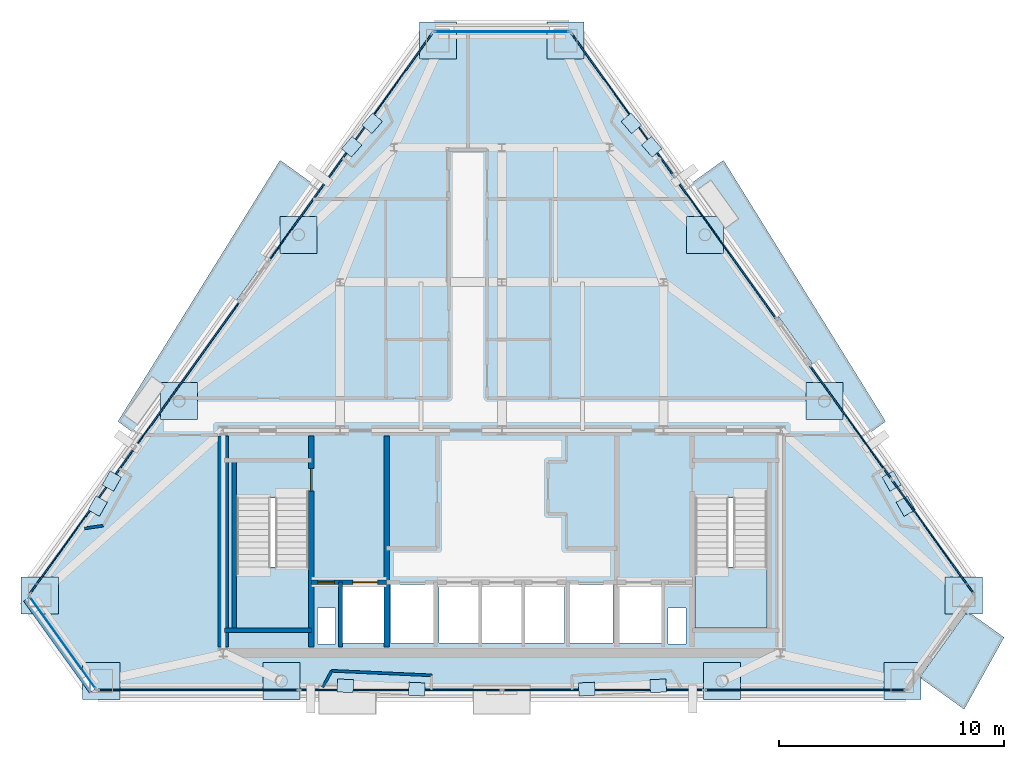
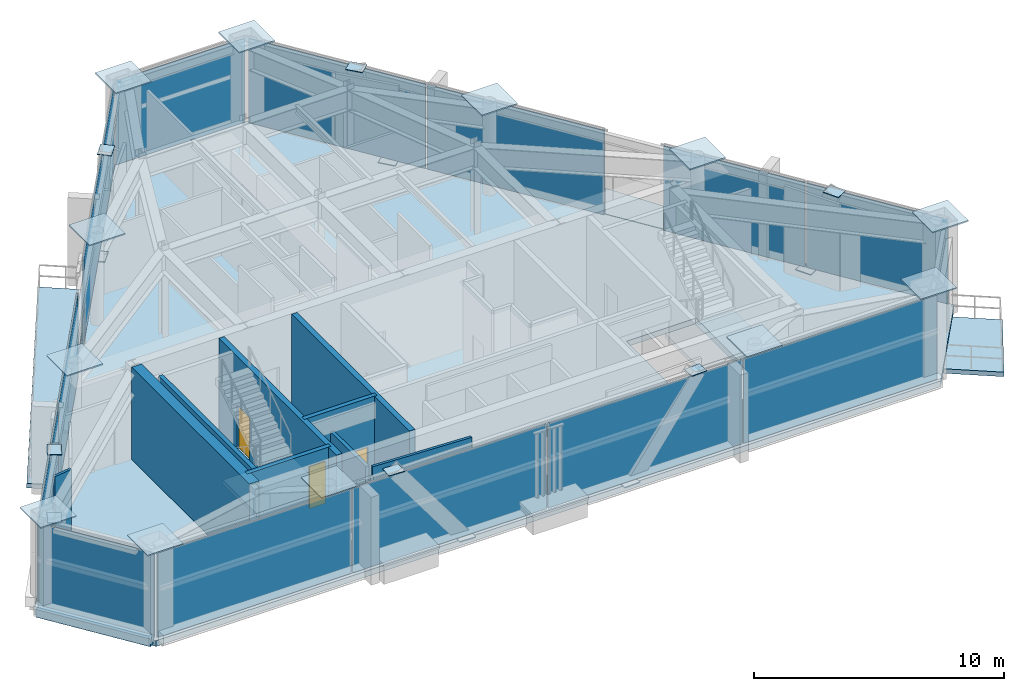
# One storey, part 6 of 11: 37 plates, 11 walls, 6 slabs, 3 doors, 3 openings, 9 elements without a shape of their own.
"""IFC4 building model written with IfcOpenShell, lengths in metres."""

from ifc_helpers import new_model, si_unit, direction, frame, frame_2d, origin, origin_2d, place, context, subcontext, project, spatial, polyline, rectangle, outline, extrude, source, transform, mapped, material, layer, layer_set, type_object, type_shapes, element, fill, aggregate, save


model = new_model("IFC4")

# Units and contexts
model_context = context("Model", 3, precision=1e-05, world=origin(), true_north=direction((0.0, 1.0)))
body_context = subcontext(model_context, "Body", "Model", "MODEL_VIEW")
ifc_project = project(units=[si_unit("LENGTHUNIT", "METRE"), si_unit("AREAUNIT", "SQUARE_METRE"), si_unit("VOLUMEUNIT", "CUBIC_METRE"), si_unit("PLANEANGLEUNIT", "RADIAN"), si_unit("MASSUNIT", "GRAM", prefix="KILO")], contexts=[model_context])

# Site, building, storey
site_placement = place(None, origin())
site = spatial("IfcSite", under=ifc_project, at=site_placement, CompositionType="ELEMENT")
building_placement = place(site_placement, origin())
building = spatial("IfcBuilding", under=site, at=building_placement, Name="Talgorran Terracotta Tower", CompositionType="ELEMENT")
storey_placement = place(building_placement, frame((0.0, 0.0, 228.89990234375)))
storey = spatial("IfcBuildingStorey", under=building, at=storey_placement, Name="L60", CompositionType="ELEMENT", Elevation=228.89990234375)

# Plates
ifc_material_1 = material(Name="Steel Grade 350 (350L0)", Category="steel")
ifc_layer_1 = layer(ifc_material_1, 0.031982421875, Name="PL_CAP_MN07")
ifc_layer_set_1 = layer_set([ifc_layer_1], Name="Steel Grade 350 (350L0)")
plate_type_1 = type_object("IfcPlateType", Name="PL_CAP_MN07", PredefinedType="USERDEFINED", material=ifc_layer_set_1)
for number, where, z_axis, x_axis, name in (
    (1, (-3.783203125, -15.712158203125, -0.005859375), (0.0, 0.0, 1.0), (-0.998970569791, 0.045362988129, 0.0), "L60 Diagonal Frame End Cap SWF Bot"),
    (2, (-6.96240234375, -15.56787109375, 4.21923828125), (0.0, 0.0, 1.0), (-0.998970569791, 0.045362988129, 0.0), "L60 Diagonal Frame End Cap SWF Top"),
    (3, (3.783203125, -15.712158203125, -0.005859375), (0.0, 0.0, 1.0), (0.998970569791, 0.045362988129, 0.0), "L60 Diagonal Frame End Cap SEF Bot"),
    (4, (6.96240234375, -15.56787109375, 4.21923828125), (0.0, 0.0, 1.0), (0.998970569791, 0.045362988129, 0.0), "L60 Diagonal Frame End Cap SEF Top"),
    (5, (17.359619140625, -6.453857421875, -0.005859375), (0.0, 0.0, 1.0), (0.490295412055, -0.871556314255, 0.0), "L60 Diagonal Frame End Cap NEL Bot"),
    (6, (17.98583984375, -7.567138671875, 4.21923828125), (0.0, 0.0, 1.0), (0.490295412055, -0.871556314255, 0.0), "L60 Diagonal Frame End Cap NEL Top"),
    (7, (6.67822265625, 8.42724609375, -0.005859375), (0.0, 0.0, 1.0), (-0.656059028991, 0.754709580223, 0.0), "L60 Diagonal Frame End Cap NEU Bot"),
    (8, (5.768310546875, 9.473876953125, 4.21923828125), (0.0, 0.0, 1.0), (-0.656059028991, 0.754709580223, 0.0), "L60 Diagonal Frame End Cap NEU Top"),
    (9, (-6.67822265625, 8.42724609375, -0.005859375), (0.0, 0.0, 1.0), (0.656059028991, 0.754709580223, 0.0), "L60 Diagonal Frame End Cap NWU Bot"),
    (10, (-5.768310546875, 9.473876953125, 4.21923828125), (0.0, 0.0, 1.0), (0.656059028991, 0.754709580223, 0.0), "L60 Diagonal Frame End Cap NWU Top"),
    (11, (-17.359619140625, -6.453857421875, -0.005859375), (0.0, 0.0, 1.0), (-0.490295412055, -0.871556314255, 0.0), "L60 Diagonal Frame End Cap NWL Bot"),
    (12, (-17.98583984375, -7.567138671875, 4.21923828125), (0.0, 0.0, 1.0), (-0.490295412055, -0.871556314255, 0.0), "L60 Diagonal Frame End Cap NWL Top"),
):
    element("IfcPlate", number, at=place(storey_placement, frame(where, z_axis=z_axis, x_axis=x_axis)), inside=storey, type_object=plate_type_1, Name=name, ObjectType="CAP PLATE", PredefinedType="USERDEFINED", context=body_context, shape_type="SweptSolid", body=[
        extrude(rectangle(XDim=0.719970703125, YDim=0.580078125, at=origin_2d()), origin(), (0.0, 0.0, 1.0), 0.031982421875),
    ])
ifc_layer_2 = layer(ifc_material_1, 0.06005859375, Name="PL_NODE_MN01")
ifc_layer_set_2 = layer_set([ifc_layer_2], Name="Steel Grade 350 (350L0)")
plate_type_2 = type_object("IfcPlateType", Name="PL_NODE_MN01", PredefinedType="USERDEFINED", material=ifc_layer_set_2)
for number, where, z_axis, x_axis, name in (
    (13, (-20.566650390625, -11.53955078125, 4.485107421875), (0.0, 0.0, 1.0), (1.0, 0.0, 0.0), "L60 Mega-Column Cap Plate MC1"),
    (14, (-17.830078125, -15.352294921875, 4.485107421875), (0.0, 0.0, 1.0), (1.0, 0.0, 0.0), "L60 Mega-Column Cap Plate MC2"),
    (15, (17.830078125, -15.352294921875, 4.485107421875), (0.0, 0.0, 1.0), (1.0, 0.0, 0.0), "L60 Mega-Column Cap Plate MC3"),
    (16, (20.566650390625, -11.53955078125, 4.485107421875), (0.0, 0.0, 1.0), (1.0, 0.0, 0.0), "L60 Mega-Column Cap Plate MC4"),
    (17, (2.843017578125, 13.153076171875, 4.485107421875), (0.0, 0.0, 1.0), (1.0, 0.0, 0.0), "L60 Mega-Column Cap Plate MC5"),
    (18, (-2.843017578125, 13.153076171875, 4.485107421875), (0.0, 0.0, 1.0), (1.0, 0.0, 0.0), "L60 Mega-Column Cap Plate MC6"),
    (19, (-9.806640625, -15.352294921875, 4.485107421875), (0.0, 0.0, 1.0), (1.0, 0.0, 0.0), "L60 Facet Column Cap Plate FC1"),
    (20, (9.806640625, -15.352294921875, 4.485107421875), (0.0, 0.0, 1.0), (1.0, 0.0, 0.0), "L60 Facet Column Cap Plate FC2"),
    (21, (14.36328125, -2.897216796875, 4.485107421875), (0.0, 0.0, 1.0), (1.0, 0.0, 0.0), "L60 Facet Column Cap Plate FC3"),
    (22, (9.04638671875, 4.510498046875, 4.485107421875), (0.0, 0.0, 1.0), (1.0, 0.0, 0.0), "L60 Facet Column Cap Plate FC4"),
    (23, (-9.04638671875, 4.510498046875, 4.485107421875), (0.0, 0.0, 1.0), (1.0, 0.0, 0.0), "L60 Facet Column Cap Plate FC5"),
    (24, (-14.36328125, -2.897216796875, 4.485107421875), (0.0, 0.0, 1.0), (1.0, 0.0, 0.0), "L60 Facet Column Cap Plate FC6"),
):
    element("IfcPlate", number, at=place(storey_placement, frame(where, z_axis=z_axis, x_axis=x_axis)), inside=storey, type_object=plate_type_2, Name=name, ObjectType="NODE PLATE", PredefinedType="USERDEFINED", context=body_context, shape_type="SweptSolid", body=[
        extrude(rectangle(XDim=1.64990234375, YDim=1.64990234375, at=origin_2d()), origin(), (0.0, 0.0, 1.0), 0.06005859375),
    ])

# Slabs
ifc_material_2 = material(Name="Concrete C40/50", Category="concrete")
ifc_layer_3 = layer(ifc_material_2, 0.219970703125, Name="SL_BALCONY_220")
ifc_layer_set_3 = layer_set([ifc_layer_3], Name="Concrete C40/50")
slab_type_1 = type_object("IfcSlabType", Name="SL_BALCONY_220", PredefinedType="FLOOR", material=ifc_layer_set_3)
slab_1_placement = place(storey_placement, frame((0.0, 0.0, -0.219970703125)))
element("IfcSlab", 25, at=slab_1_placement, inside=storey, type_object=slab_type_1, Name="L60 Outdoor Wave Balcony BAL-NE", PredefinedType="FLOOR", context=body_context, shape_type="SweptSolid", body=[
    extrude(outline(polyline([(8.189208984375, 6.622314453125), (16.15185546875, -4.47119140625), (17.087890625, -3.79931640625), (9.868896484375, 7.827880859375), (8.189208984375, 6.622314453125)])), origin(), (0.0, 0.0, 1.0), 0.219970703125),
])
slab_2_placement = place(storey_placement, frame((0.0, 0.0, -0.219970703125)))
element("IfcSlab", 26, at=slab_2_placement, inside=storey, type_object=slab_type_1, Name="L60 Outdoor Wave Balcony BAL-NW", PredefinedType="FLOOR", context=body_context, shape_type="SweptSolid", body=[
    extrude(outline(polyline([(-16.15185546875, -4.47119140625), (-8.189208984375, 6.622314453125), (-9.868896484375, 7.827880859375), (-17.087890625, -3.79931640625), (-16.15185546875, -4.47119140625)])), origin(), (0.0, 0.0, 1.0), 0.219970703125),
])
slab_3_placement = place(storey_placement, frame((0.0, 0.0, -0.219970703125)))
element("IfcSlab", 27, at=slab_3_placement, inside=storey, type_object=slab_type_1, Name="L60 Outdoor Wave Balcony BAL-SE", PredefinedType="FLOOR", context=body_context, shape_type="SweptSolid", body=[
    extrude(outline(polyline([(20.723388671875, -12.239013671875), (18.60498046875, -15.1904296875), (20.58251953125, -16.610107421875), (22.35791015625, -13.412109375), (20.723388671875, -12.239013671875)])), origin(), (0.0, 0.0, 1.0), 0.219970703125),
])
ifc_layer_4 = layer(ifc_material_2, 0.280029296875, Name="SL_HALL_280")
ifc_layer_set_4 = layer_set([ifc_layer_4], Name="Concrete C40/50")
slab_type_2 = type_object("IfcSlabType", Name="SL_HALL_280", PredefinedType="FLOOR", material=ifc_layer_set_4)
slab_4_placement = place(storey_placement, frame((0.0, 0.0, -0.27978515625)))
element("IfcSlab", 28, at=slab_4_placement, inside=storey, type_object=slab_type_2, Name="Storey L60 Structural Floor Slab", PredefinedType="FLOOR", context=body_context, shape_type="SweptSolid", body=[
    extrude(outline(polyline([(-21.206787109375, -11.53955078125), (-18.096923828125, -15.872314453125), (18.096923828125, -15.872314453125), (21.206787109375, -11.53955078125), (3.10986328125, 13.673095703125), (-3.10986328125, 13.673095703125), (-21.206787109375, -11.53955078125)]), holes=[polyline([(-11.800048828125, -7.199951171875), (-11.800048828125, -13.0), (-8.60009765625, -13.0), (-8.60009765625, -7.199951171875), (-11.800048828125, -7.199951171875)]), polyline([(8.60009765625, -7.199951171875), (8.60009765625, -13.0), (11.800048828125, -13.0), (11.800048828125, -7.199951171875), (8.60009765625, -7.199951171875)]), polyline([(-7.10009765625, -13.64990234375), (-5.199951171875, -13.64990234375), (-5.199951171875, -11.050048828125), (-7.10009765625, -11.050048828125), (-7.10009765625, -13.64990234375)]), polyline([(5.199951171875, -13.64990234375), (7.10009765625, -13.64990234375), (7.10009765625, -11.050048828125), (5.199951171875, -11.050048828125), (5.199951171875, -13.64990234375)]), polyline([(3.0, -13.64990234375), (4.949951171875, -13.64990234375), (4.949951171875, -11.050048828125), (3.0, -11.050048828125), (3.0, -13.64990234375)]), polyline([(-4.949951171875, -13.64990234375), (-3.0, -13.64990234375), (-3.0, -11.050048828125), (-4.949951171875, -11.050048828125), (-4.949951171875, -13.64990234375)]), polyline([(-2.800048828125, -13.64990234375), (-1.0, -13.64990234375), (-1.0, -11.050048828125), (-2.800048828125, -11.050048828125), (-2.800048828125, -13.64990234375)]), polyline([(-0.89990234375, -13.64990234375), (0.89990234375, -13.64990234375), (0.89990234375, -11.050048828125), (-0.89990234375, -11.050048828125), (-0.89990234375, -13.64990234375)]), polyline([(1.0, -13.64990234375), (2.800048828125, -13.64990234375), (2.800048828125, -11.050048828125), (1.0, -11.050048828125), (1.0, -13.64990234375)]), polyline([(-8.199951171875, -13.699951171875), (-7.39990234375, -13.699951171875), (-7.39990234375, -12.10009765625), (-8.199951171875, -12.10009765625), (-8.199951171875, -13.699951171875)]), polyline([(7.39990234375, -13.699951171875), (8.199951171875, -13.699951171875), (8.199951171875, -12.10009765625), (7.39990234375, -12.10009765625), (7.39990234375, -13.699951171875)])]), origin(), (0.0, 0.0, 1.0), 0.27978515625),
])

# Stair, slab
stair_type = type_object("IfcStairType", Name="ST_FIRE_SCISSOR", PredefinedType="HALF_TURN_STAIR", material=ifc_material_2)
stair_1_placement = place(storey_placement, origin())
stair_1 = element("IfcStair", 29, at=stair_1_placement, inside=storey, type_object=stair_type, Name="L60 West Protected Fire Stair ST-01", PredefinedType="HALF_TURN_STAIR")
ifc_layer_5 = layer(ifc_material_2, 0.199951171875, Name="SL_LANDING_200")
ifc_layer_set_5 = layer_set([ifc_layer_5], Name="Concrete C40/50")
slab_type_3 = type_object("IfcSlabType", Name="SL_LANDING_200", PredefinedType="LANDING", material=ifc_layer_set_5)
slab_5_placement = place(storey_placement, frame((0.0, 0.0, 2.050048828125)))
slab_5 = element("IfcSlab", 30, at=slab_5_placement, type_object=slab_type_3, Name="ST-01 landing 1", PredefinedType="LANDING", context=body_context, shape_type="SweptSolid", body=[
    extrude(outline(polyline([(-11.800048828125, -10.280029296875), (-11.800048828125, -13.0), (-8.60009765625, -13.0), (-8.60009765625, -10.280029296875), (-11.800048828125, -10.280029296875)])), origin(), (0.0, 0.0, 1.0), 0.199951171875),
])
aggregate(stair_1, [slab_5])

stair_2_placement = place(storey_placement, origin())
stair_2 = element("IfcStair", 31, at=stair_2_placement, inside=storey, type_object=stair_type, Name="L60 East Protected Fire Stair ST-02", PredefinedType="HALF_TURN_STAIR")
slab_6_placement = place(storey_placement, frame((0.0, 0.0, 2.050048828125)))
slab_6 = element("IfcSlab", 32, at=slab_6_placement, type_object=slab_type_3, Name="ST-02 landing 1", PredefinedType="LANDING", context=body_context, shape_type="SweptSolid", body=[
    extrude(outline(polyline([(8.60009765625, -10.280029296875), (8.60009765625, -13.0), (11.800048828125, -13.0), (11.800048828125, -10.280029296875), (8.60009765625, -10.280029296875)])), origin(), (0.0, 0.0, 1.0), 0.199951171875),
])
aggregate(stair_2, [slab_6])

# Curtain wall, plate
ifc_material_3 = material(Name="High-Wind Unitised Glazing", Category="glass")
ifc_layer_6 = layer(ifc_material_3, 0.2099609375, Name="CW_SYS3_RES_HIGH")
ifc_layer_set_6 = layer_set([ifc_layer_6], Name="High-Wind Unitised Glazing")
curtain_wall_type = type_object("IfcCurtainWallType", Name="CW_SYS3_RES_HIGH", PredefinedType="NOTDEFINED", material=ifc_layer_set_6)
curtain_wall_1_placement = place(storey_placement, origin())
curtain_wall_1 = element("IfcCurtainWall", 33, at=curtain_wall_1_placement, inside=storey, type_object=curtain_wall_type, Name="CW-L60-F0", PredefinedType="NOTDEFINED")
ifc_material_4 = material(Name="High-Wind Acoustic Vision Glass", Category="glass")
ifc_layer_7 = layer(ifc_material_4, 0.031982421875, Name="PLT_VISION_32")
ifc_layer_set_7 = layer_set([ifc_layer_7], Name="High-Wind Acoustic Vision Glass")
plate_type_3 = type_object("IfcPlateType", Name="PLT_VISION_32", PredefinedType="CURTAIN_PANEL", material=ifc_layer_set_7)
shared_shape_1 = source(origin(), body_context, "Body", "SweptSolid", [
    extrude(rectangle(XDim=5.04541015625, YDim=0.031982421875, at=origin_2d()), origin(), (0.0, 0.0, 1.0), 4.10498046875),
])
plate_1_placement = place(storey_placement, frame((-19.54736328125, -13.64599609375, 0.070068359375), z_axis=(0.0, 0.0, 1.0), x_axis=(0.583113785654, -0.812390492916, 0.0)))
plate_1 = element("IfcPlate", 34, at=plate_1_placement, type_object=plate_type_3, Name="CW-L60-0 panel 1.1", PredefinedType="CURTAIN_PANEL", context=body_context, shape_type="MappedRepresentation", body=[
    mapped(shared_shape_1, transform((0.0, 0.0, 0.0), scale=1.0)),
])
aggregate(curtain_wall_1, [plate_1])

# Curtain wall, plates
curtain_wall_2_placement = place(storey_placement, origin())
curtain_wall_2 = element("IfcCurtainWall", 35, at=curtain_wall_2_placement, inside=storey, type_object=curtain_wall_type, Name="CW-L60-F1", PredefinedType="NOTDEFINED")
ifc_material_5 = material(Name="Terracotta Insulated Spandrel", Category="masonry")
ifc_layer_8 = layer(ifc_material_5, 0.06494140625, Name="PLT_SPANDREL_TERRA")
ifc_layer_set_8 = layer_set([ifc_layer_8], Name="Terracotta Insulated Spandrel")
plate_type_4 = type_object("IfcPlateType", Name="PLT_SPANDREL_TERRA", PredefinedType="SHEET", material=ifc_layer_set_8)
shared_shape_2 = source(origin(), body_context, "Body", "SweptSolid", [
    extrude(rectangle(XDim=8.91259765625, YDim=0.06494140625, at=origin_2d()), origin(), (0.0, 0.0, 1.0), 4.10498046875),
])
plate_2_placement = place(storey_placement, frame((-13.509033203125, -15.752197265625, 0.070068359375), z_axis=(0.0, 0.0, 1.0), x_axis=(1.0, 0.0, 0.0)))
plate_2 = element("IfcPlate", 36, at=plate_2_placement, type_object=plate_type_4, Name="CW-L60-1 panel 1.1", PredefinedType="CURTAIN_PANEL", context=body_context, shape_type="MappedRepresentation", body=[
    mapped(shared_shape_2, transform((0.0, 0.0, 0.0), scale=1.0)),
])
plate_3_placement = place(storey_placement, frame((13.509033203125, -15.752197265625, 0.070068359375), z_axis=(0.0, 0.0, 1.0), x_axis=(1.0, 0.0, 0.0)))
plate_3 = element("IfcPlate", 37, at=plate_3_placement, type_object=plate_type_4, Name="CW-L60-1 panel 4.1", PredefinedType="CURTAIN_PANEL", context=body_context, shape_type="MappedRepresentation", body=[
    mapped(shared_shape_2, transform((0.0, 0.0, 0.0), scale=1.0)),
])
shared_shape_3 = source(origin(), body_context, "Body", "SweptSolid", [
    extrude(rectangle(XDim=8.94775390625, YDim=0.06494140625, at=origin_2d()), origin(), (0.0, 0.0, 1.0), 4.10498046875),
])
plate_4_placement = place(storey_placement, frame((-4.5087890625, -15.752197265625, 0.070068359375), z_axis=(0.0, 0.0, 1.0), x_axis=(1.0, 0.0, 0.0)))
plate_4 = element("IfcPlate", 38, at=plate_4_placement, type_object=plate_type_4, Name="CW-L60-1 panel 2.1", PredefinedType="CURTAIN_PANEL", context=body_context, shape_type="MappedRepresentation", body=[
    mapped(shared_shape_3, transform((0.0, 0.0, 0.0), scale=1.0)),
])
plate_5_placement = place(storey_placement, frame((4.5087890625, -15.752197265625, 0.070068359375), z_axis=(0.0, 0.0, 1.0), x_axis=(1.0, 0.0, 0.0)))
plate_5 = element("IfcPlate", 39, at=plate_5_placement, type_object=plate_type_4, Name="CW-L60-1 panel 3.1", PredefinedType="CURTAIN_PANEL", context=body_context, shape_type="MappedRepresentation", body=[
    mapped(shared_shape_3, transform((0.0, 0.0, 0.0), scale=1.0)),
])
aggregate(curtain_wall_2, [plate_2, plate_4, plate_5, plate_3])

curtain_wall_3_placement = place(storey_placement, origin())
curtain_wall_3 = element("IfcCurtainWall", 40, at=curtain_wall_3_placement, inside=storey, type_object=curtain_wall_type, Name="CW-L60-F40", PredefinedType="NOTDEFINED")
shared_shape_4 = source(origin(), body_context, "Body", "SweptSolid", [
    extrude(rectangle(XDim=6.20166015625, YDim=0.06494140625, at=origin_2d()), origin(), (0.0, 0.0, 1.0), 4.10498046875),
])
plate_6_placement = place(storey_placement, frame((19.186767578125, -8.93115234375, 0.070068359375), z_axis=(0.0, 0.0, 1.0), x_axis=(-0.583115294414, 0.812389409963, 0.0)))
plate_6 = element("IfcPlate", 41, at=plate_6_placement, type_object=plate_type_4, Name="CW-L60-40 panel 1.1", PredefinedType="CURTAIN_PANEL", context=body_context, shape_type="MappedRepresentation", body=[
    mapped(shared_shape_4, transform((0.0, 0.0, 0.0), scale=1.0)),
])
plate_7_placement = place(storey_placement, frame((15.52978515625, -3.836181640625, 0.070068359375), z_axis=(0.0, 0.0, 1.0), x_axis=(-0.583115294414, 0.812389409963, 0.0)))
plate_7 = element("IfcPlate", 42, at=plate_7_placement, type_object=plate_type_4, Name="CW-L60-40 panel 2.1", PredefinedType="CURTAIN_PANEL", context=body_context, shape_type="MappedRepresentation", body=[
    mapped(shared_shape_4, transform((0.0, 0.0, 0.0), scale=1.0)),
])
aggregate(curtain_wall_3, [plate_6, plate_7])

curtain_wall_4_placement = place(storey_placement, origin())
curtain_wall_4 = element("IfcCurtainWall", 43, at=curtain_wall_4_placement, inside=storey, type_object=curtain_wall_type, Name="CW-L60-F41", PredefinedType="NOTDEFINED")
shared_shape_5 = source(origin(), body_context, "Body", "SweptSolid", [
    extrude(rectangle(XDim=7.761962890625, YDim=0.06494140625, at=origin_2d()), origin(), (0.0, 0.0, 1.0), 4.10498046875),
])
plate_8_placement = place(storey_placement, frame((9.9423828125, 3.947998046875, 0.070068359375), z_axis=(0.0, 0.0, 1.0), x_axis=(-0.583111824868, 0.812391900316, 0.0)))
plate_8 = element("IfcPlate", 44, at=plate_8_placement, type_object=plate_type_4, Name="CW-L60-41 panel 1.1", PredefinedType="CURTAIN_PANEL", context=body_context, shape_type="MappedRepresentation", body=[
    mapped(shared_shape_5, transform((0.0, 0.0, 0.0), scale=1.0)),
])
plate_9_placement = place(storey_placement, frame((5.37548828125, 10.310791015625, 0.070068359375), z_axis=(0.0, 0.0, 1.0), x_axis=(-0.583111824868, 0.812391900316, 0.0)))
plate_9 = element("IfcPlate", 45, at=plate_9_placement, type_object=plate_type_4, Name="CW-L60-41 panel 2.1", PredefinedType="CURTAIN_PANEL", context=body_context, shape_type="MappedRepresentation", body=[
    mapped(shared_shape_5, transform((0.0, 0.0, 0.0), scale=1.0)),
])
aggregate(curtain_wall_4, [plate_8, plate_9])

# Curtain wall, plate
curtain_wall_5_placement = place(storey_placement, origin())
curtain_wall_5 = element("IfcCurtainWall", 46, at=curtain_wall_5_placement, inside=storey, type_object=curtain_wall_type, Name="CW-L60-F4", PredefinedType="NOTDEFINED")
shared_shape_6 = source(origin(), body_context, "Body", "SweptSolid", [
    extrude(rectangle(XDim=5.95654296875, YDim=0.031982421875, at=origin_2d()), origin(), (0.0, 0.0, 1.0), 4.10498046875),
])
type_shapes(plate_type_3, [shared_shape_1, shared_shape_6])
plate_10_placement = place(storey_placement, frame((0.0, 13.552978515625, 0.070068359375), z_axis=(0.0, 0.0, 1.0), x_axis=(-1.0, 0.0, 0.0)))
plate_10 = element("IfcPlate", 47, at=plate_10_placement, type_object=plate_type_3, Name="CW-L60-4 panel 1.1", PredefinedType="CURTAIN_PANEL", context=body_context, shape_type="MappedRepresentation", body=[
    mapped(shared_shape_6, transform((0.0, 0.0, 0.0), scale=1.0)),
])
aggregate(curtain_wall_5, [plate_10])

curtain_wall_6_placement = place(storey_placement, origin())
curtain_wall_6 = element("IfcCurtainWall", 48, at=curtain_wall_6_placement, inside=storey, type_object=curtain_wall_type, Name="CW-L60-F60", PredefinedType="NOTDEFINED")
shared_shape_7 = source(origin(), body_context, "Body", "SweptSolid", [
    extrude(rectangle(XDim=12.39990234375, YDim=0.06494140625, at=origin_2d()), origin(), (0.0, 0.0, 1.0), 4.10498046875),
])
plate_11_placement = place(storey_placement, frame((-6.727783203125, 8.4267578125, 0.070068359375), z_axis=(0.0, 0.0, 1.0), x_axis=(-0.583114219301, -0.812390181655, 0.0)))
plate_11 = element("IfcPlate", 49, at=plate_11_placement, type_object=plate_type_4, Name="CW-L60-60 panel 1.1", PredefinedType="CURTAIN_PANEL", context=body_context, shape_type="MappedRepresentation", body=[
    mapped(shared_shape_7, transform((0.0, 0.0, 0.0), scale=1.0)),
])
aggregate(curtain_wall_6, [plate_11])

# Curtain wall, plates
curtain_wall_7_placement = place(storey_placement, origin())
curtain_wall_7 = element("IfcCurtainWall", 50, at=curtain_wall_7_placement, inside=storey, type_object=curtain_wall_type, Name="CW-L60-F61", PredefinedType="NOTDEFINED")
shared_shape_8 = source(origin(), body_context, "Body", "SweptSolid", [
    extrude(rectangle(XDim=7.94873046875, YDim=0.06494140625, at=origin_2d()), origin(), (0.0, 0.0, 1.0), 4.10498046875),
])
type_shapes(plate_type_4, [shared_shape_2, shared_shape_3, shared_shape_4, shared_shape_5, shared_shape_7, shared_shape_8])
plate_12_placement = place(storey_placement, frame((-14.001708984375, -1.707275390625, 0.070068359375), z_axis=(0.0, 0.0, 1.0), x_axis=(-0.583115917193, -0.812388962946, 0.0)))
plate_12 = element("IfcPlate", 51, at=plate_12_placement, type_object=plate_type_4, Name="CW-L60-61 panel 1.1", PredefinedType="CURTAIN_PANEL", context=body_context, shape_type="MappedRepresentation", body=[
    mapped(shared_shape_8, transform((0.0, 0.0, 0.0), scale=1.0)),
])
plate_13_placement = place(storey_placement, frame((-18.677490234375, -8.221435546875, 0.070068359375), z_axis=(0.0, 0.0, 1.0), x_axis=(-0.583115917193, -0.812388962946, 0.0)))
plate_13 = element("IfcPlate", 52, at=plate_13_placement, type_object=plate_type_4, Name="CW-L60-61 panel 2.1", PredefinedType="CURTAIN_PANEL", context=body_context, shape_type="MappedRepresentation", body=[
    mapped(shared_shape_8, transform((0.0, 0.0, 0.0), scale=1.0)),
])
aggregate(curtain_wall_7, [plate_12, plate_13])

# Walls
ifc_material_6 = material(Name="Concrete C50/60", Category="concrete")
ifc_layer_9 = layer(ifc_material_6, 0.199951171875, Name="WT_CORE_200")
ifc_layer_set_9 = layer_set([ifc_layer_9], Name="Concrete C50/60")
wall_type_1 = type_object("IfcWallType", Name="WT_CORE_200", PredefinedType="SOLIDWALL", material=ifc_layer_set_9)
wall_1_placement = place(storey_placement, frame((-12.35009765625, -13.10009765625, 0.0), z_axis=(0.0, 0.0, 1.0), x_axis=(1.0, 0.0, 0.0)))
element("IfcWall", 53, at=wall_1_placement, inside=storey, type_object=wall_type_1, Name="WL-L60-CW-ST1-S", PredefinedType="SOLIDWALL", context=body_context, shape_type="SweptSolid", body=[
    extrude(rectangle(XDim=3.8701171875, YDim=0.199951171875, at=frame_2d((1.93505859375, 0.0))), origin(), (0.0, 0.0, 1.0), 4.5),
])
wall_2_placement = place(storey_placement, frame((-11.89990234375, -13.10009765625, 0.0), z_axis=(0.0, 0.0, 1.0), x_axis=(0.0, 1.0, 0.0)))
element("IfcWall", 54, at=wall_2_placement, inside=storey, type_object=wall_type_1, Name="WL-L60-CW-ST1-W", PredefinedType="SOLIDWALL", context=body_context, shape_type="SweptSolid", body=[
    extrude(rectangle(XDim=7.580078125, YDim=0.199951171875, at=frame_2d((3.7900390625, 0.0))), origin(), (0.0, 0.0, 1.0), 4.5),
])

# Wall, openings, doors
wall_3_placement = place(storey_placement, frame((-8.47998046875, -10.949951171875, 0.0), z_axis=(0.0, 0.0, 1.0), x_axis=(1.0, 0.0, 0.0)))
wall_3 = element("IfcWall", 55, at=wall_3_placement, inside=storey, type_object=wall_type_1, Name="WL-L60-CW-H-SBW", PredefinedType="SOLIDWALL", context=body_context, shape_type="SweptSolid", body=[
    extrude(rectangle(XDim=3.35986328125, YDim=0.199951171875, at=frame_2d((1.679931640625, 0.0))), origin(), (0.0, 0.0, 1.0), 4.5),
])
opening_1_placement = place(wall_3_placement, frame((0.280029296875, 0.0, 0.0)))
opening_1 = element("IfcOpeningElement", 56, at=opening_1_placement, cuts=wall_3, Name="Opening DR-RSW", PredefinedType="OPENING", context=body_context, shape_type="SweptSolid", body=[
    extrude(rectangle(XDim=0.756, YDim=2.054048828125, at=frame_2d((0.375, 1.027099609375))), frame((0.0, 0.10986328125, 0.0), z_axis=(0.0, -1.0, 0.0), x_axis=(1.0, 0.0, 0.0)), (0.0, 0.0, 1.0), 0.219970703125),
])
opening_2_placement = place(wall_3_placement, frame((1.85009765625, 0.0, 0.0)))
opening_2 = element("IfcOpeningElement", 57, at=opening_2_placement, cuts=wall_3, Name="Opening LD-FFL1", PredefinedType="OPENING", context=body_context, shape_type="SweptSolid", body=[
    extrude(rectangle(XDim=1.10609765625, YDim=2.10409765625, at=frame_2d((0.550048828125, 1.052001953125))), frame((0.0, 0.10986328125, 0.0), z_axis=(0.0, -1.0, 0.0), x_axis=(1.0, 0.0, 0.0)), (0.0, 0.0, 1.0), 0.219970703125),
])
ifc_material_7 = material(Name="Brushed Stainless Steel Grade 304", Category="steel")
door_type_1 = type_object("IfcDoorType", Name="DT_LIFT_LD1100", OperationType="DOUBLE_DOOR_SLIDING", PredefinedType="DOOR", material=ifc_material_7)
door_1_placement = place(opening_2_placement, origin())
door_1 = element("IfcDoor", 58, at=door_1_placement, inside=storey, type_object=door_type_1, Name="L60 Lift Landing Door LD-FFL1", OperationType="DOUBLE_DOOR_SLIDING", OverallHeight=2.10009765625, OverallWidth=1.10009765625, PredefinedType="DOOR", context=body_context, shape_type="SweptSolid", body=[
    extrude(rectangle(XDim=1.10009765625, YDim=2.10009765625, at=frame_2d((0.550048828125, 1.050048828125))), frame((0.0, 0.02490234375, 0.0), z_axis=(0.0, -1.0, 0.0), x_axis=(1.0, 0.0, 0.0)), (0.0, 0.0, 1.0), 0.050048828125),
])
fill(opening_2, door_1)
ifc_material_8 = material(Name="Fire-Rated Pressed Steel", Category="steel")
door_type_2 = type_object("IfcDoorType", Name="DT_RISER_750", OperationType="NOTDEFINED", PredefinedType="DOOR", material=ifc_material_8)
door_2_placement = place(opening_1_placement, origin())
door_2 = element("IfcDoor", 59, at=door_2_placement, inside=storey, type_object=door_type_2, Name="DR-RSW", OperationType="SINGLE_SWING_LEFT", OverallHeight=2.050048828125, OverallWidth=0.75, PredefinedType="DOOR", context=body_context, shape_type="SweptSolid", body=[
    extrude(rectangle(XDim=0.75, YDim=2.050048828125, at=frame_2d((0.375, 1.02490234375))), frame((0.0, 0.02490234375, 0.0), z_axis=(0.0, -1.0, 0.0), x_axis=(1.0, 0.0, 0.0)), (0.0, 0.0, 1.0), 0.050048828125),
])
fill(opening_1, door_2)

# Wall, opening, door
ifc_layer_10 = layer(ifc_material_6, 0.25, Name="WT_CORE_250")
ifc_layer_set_10 = layer_set([ifc_layer_10], Name="Concrete C50/60")
wall_type_2 = type_object("IfcWallType", Name="WT_CORE_250", PredefinedType="SHEAR", material=ifc_layer_set_10)
wall_4_placement = place(storey_placement, frame((-8.47998046875, -13.85009765625, 0.0), z_axis=(0.0, 0.0, 1.0), x_axis=(0.0, 1.0, 0.0)))
wall_4 = element("IfcWall", 60, at=wall_4_placement, inside=storey, type_object=wall_type_2, Name="WL-L60-CW-V-W1", PredefinedType="SHEAR", context=body_context, shape_type="SweptSolid", body=[
    extrude(rectangle(XDim=9.400146484375, YDim=0.25, at=frame_2d((4.7001953125, 0.0))), origin(), (0.0, 0.0, 1.0), 4.5),
])
opening_3_placement = place(wall_4_placement, frame((6.949951171875, 0.0, 0.0)))
opening_3 = element("IfcOpeningElement", 61, at=opening_3_placement, cuts=wall_4, Name="Opening DR-ST01", PredefinedType="OPENING", context=body_context, shape_type="SweptSolid", body=[
    extrude(rectangle(XDim=1.006, YDim=2.10409765625, at=frame_2d((0.5, 1.052001953125))), frame((0.0, 0.135009765625, 0.0), z_axis=(0.0, -1.0, 0.0), x_axis=(1.0, 0.0, 0.0)), (0.0, 0.0, 1.0), 0.27001953125),
])
door_type_3 = type_object("IfcDoorType", Name="DT_FIRE_1000", OperationType="NOTDEFINED", PredefinedType="DOOR", material=ifc_material_8)
door_3_placement = place(opening_3_placement, origin())
door_3 = element("IfcDoor", 62, at=door_3_placement, inside=storey, type_object=door_type_3, Name="DR-ST01", OperationType="SINGLE_SWING_LEFT", OverallHeight=2.10009765625, OverallWidth=1.0, PredefinedType="DOOR", context=body_context, shape_type="SweptSolid", body=[
    extrude(rectangle(XDim=1.0, YDim=2.10009765625, at=frame_2d((0.5, 1.050048828125))), frame((0.0, 0.02490234375, 0.0), z_axis=(0.0, -1.0, 0.0), x_axis=(1.0, 0.0, 0.0)), (0.0, 0.0, 1.0), 0.050048828125),
])
fill(opening_3, door_3)

# Walls
wall_5_placement = place(storey_placement, frame((-5.1201171875, -13.85009765625, 0.0), z_axis=(0.0, 0.0, 1.0), x_axis=(0.0, 1.0, 0.0)))
element("IfcWall", 63, at=wall_5_placement, inside=storey, type_object=wall_type_2, Name="WL-L60-CW-V-W2", PredefinedType="SHEAR", context=body_context, shape_type="SweptSolid", body=[
    extrude(rectangle(XDim=9.400146484375, YDim=0.25, at=frame_2d((4.7001953125, 0.0))), origin(), (0.0, 0.0, 1.0), 4.5),
])
ifc_material_9 = material(Name="Concrete C65/80", Category="concrete")
ifc_layer_11 = layer(ifc_material_9, 0.449951171875, Name="WT_CORE_EXT")
ifc_layer_set_11 = layer_set([ifc_layer_11], Name="Concrete C65/80")
wall_type_3 = type_object("IfcWallType", Name="WT_CORE_EXT", PredefinedType="SHEAR", material=ifc_layer_set_11)
wall_6_placement = place(storey_placement, frame((-12.39990234375, -13.85009765625, 0.0), z_axis=(0.0, 0.0, 1.0), x_axis=(0.0, 1.0, 0.0)))
element("IfcWall", 64, at=wall_6_placement, inside=storey, type_object=wall_type_3, Name="WL-L60-CW-OUT-W", PredefinedType="SHEAR", context=body_context, shape_type="SweptSolid", body=[
    extrude(rectangle(XDim=9.400146484375, YDim=0.449951171875, at=frame_2d((4.7001953125, 0.0))), origin(), (0.0, 0.0, 1.0), 4.5),
])
ifc_layer_12 = layer(ifc_material_2, 0.219970703125, Name="WT_PARAPET_RC")
ifc_layer_set_12 = layer_set([ifc_layer_12], Name="Concrete C40/50")
wall_type_4 = type_object("IfcWallType", Name="WT_PARAPET_RC", PredefinedType="PARAPET", material=ifc_layer_set_12)
wall_7_placement = place(storey_placement, frame((-21.142333984375, -11.697998046875, -0.199951171875), z_axis=(0.0, 0.0, 1.0), x_axis=(0.583125403286, -0.812382153941, 0.0)))
element("IfcWall", 65, at=wall_7_placement, inside=storey, type_object=wall_type_4, Name="L60 Striped Portal Precast Cornice F0", PredefinedType="PARAPET", context=body_context, shape_type="SweptSolid", body=[
    extrude(rectangle(XDim=5.025390625, YDim=0.360107421875, at=frame_2d((2.5126953125, 0.0))), origin(), (0.0, 0.0, 1.0), 0.380126953125),
])
ifc_material_10 = material(Name="Insulated Steel Stud Plasterboard", Category="steel")
ifc_layer_13 = layer(ifc_material_10, 0.1201171875, Name="WT_PART_120")
ifc_layer_set_13 = layer_set([ifc_layer_13], Name="Insulated Steel Stud Plasterboard")
wall_type_5 = type_object("IfcWallType", Name="WT_PART_120", PredefinedType="PARTITIONING", material=ifc_layer_set_13)
wall_8_placement = place(storey_placement, frame((-7.57275390625, -14.8994140625, 0.0), z_axis=(0.0, 0.0, 1.0), x_axis=(0.998971020326, -0.04535306549, 0.0)))
element("IfcWall", 66, at=wall_8_placement, inside=storey, type_object=wall_type_5, Name="WL-L60-BW-L60-02", PredefinedType="PARTITIONING", context=body_context, shape_type="SweptSolid", body=[
    extrude(rectangle(XDim=4.462646484375, YDim=0.1201171875, at=frame_2d((2.2314453125, 0.0))), origin(), (0.0, 0.0, 1.0), 4.2451171875),
])
wall_9_placement = place(storey_placement, frame((-17.74169921875, -8.438720703125, 0.0), z_axis=(0.0, 0.0, 1.0), x_axis=(-0.989322448528, -0.145743242855, 0.0)))
element("IfcWall", 67, at=wall_9_placement, inside=storey, type_object=wall_type_5, Name="WL-L60-BW-L60-09", PredefinedType="PARTITIONING", context=body_context, shape_type="SweptSolid", body=[
    extrude(rectangle(XDim=0.845947265625, YDim=0.1201171875, at=frame_2d((0.4228515625, 0.0))), origin(), (0.0, 0.0, 1.0), 3.76318359375),
])
wall_10_placement = place(storey_placement, frame((-7.974853515625, -15.63720703125, 0.0), z_axis=(0.0, 0.0, 1.0), x_axis=(0.478546739668, 0.878062080922, 0.0)))
element("IfcWall", 68, at=wall_10_placement, inside=storey, type_object=wall_type_5, Name="WL-L60-BW-L60-01", PredefinedType="PARTITIONING", context=body_context, shape_type="SweptSolid", body=[
    extrude(rectangle(XDim=0.84033203125, YDim=0.1201171875, at=frame_2d((0.420166015625, 0.0))), origin(), (0.0, 0.0, 1.0), 3.76318359375),
])
ifc_material_11 = material(Name="Fire-Rated Shaftwall")
ifc_layer_14 = layer(ifc_material_11, 0.159912109375, Name="WT_PART_150")
ifc_layer_set_14 = layer_set([ifc_layer_14], Name="Fire-Rated Shaftwall")
wall_type_6 = type_object("IfcWallType", Name="WT_PART_150", PredefinedType="PARTITIONING", material=ifc_layer_set_14)
wall_11_placement = place(storey_placement, frame((-7.179931640625, -13.85009765625, 0.0), z_axis=(0.0, 0.0, 1.0), x_axis=(0.0, 1.0, 0.0)))
element("IfcWall", 69, at=wall_11_placement, inside=storey, type_object=wall_type_6, Name="WL-L60-CW-RSW", PredefinedType="PARTITIONING", context=body_context, shape_type="SweptSolid", body=[
    extrude(rectangle(XDim=2.900146484375, YDim=0.159912109375, at=frame_2d((1.4501953125, 0.0))), origin(), (0.0, 0.0, 1.0), 3.47021484375),
])

save(model, "model.ifc")
